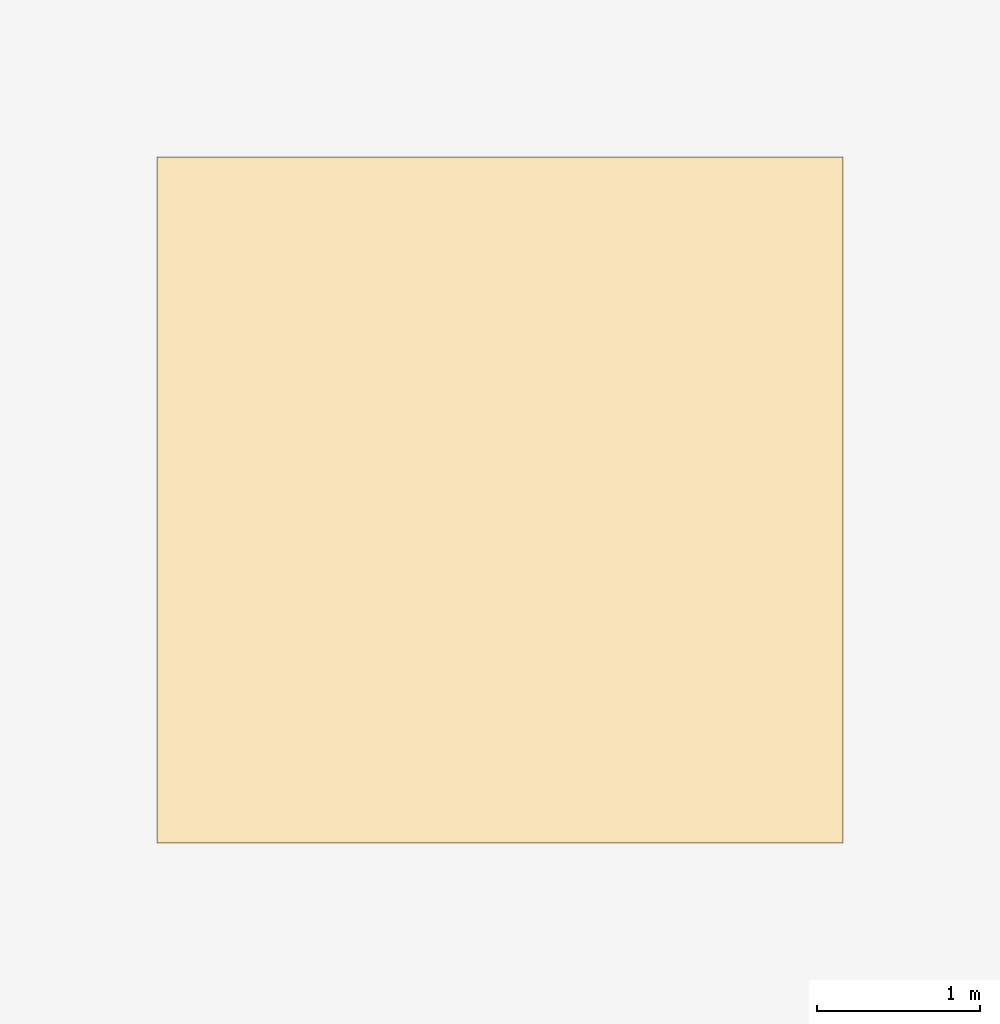
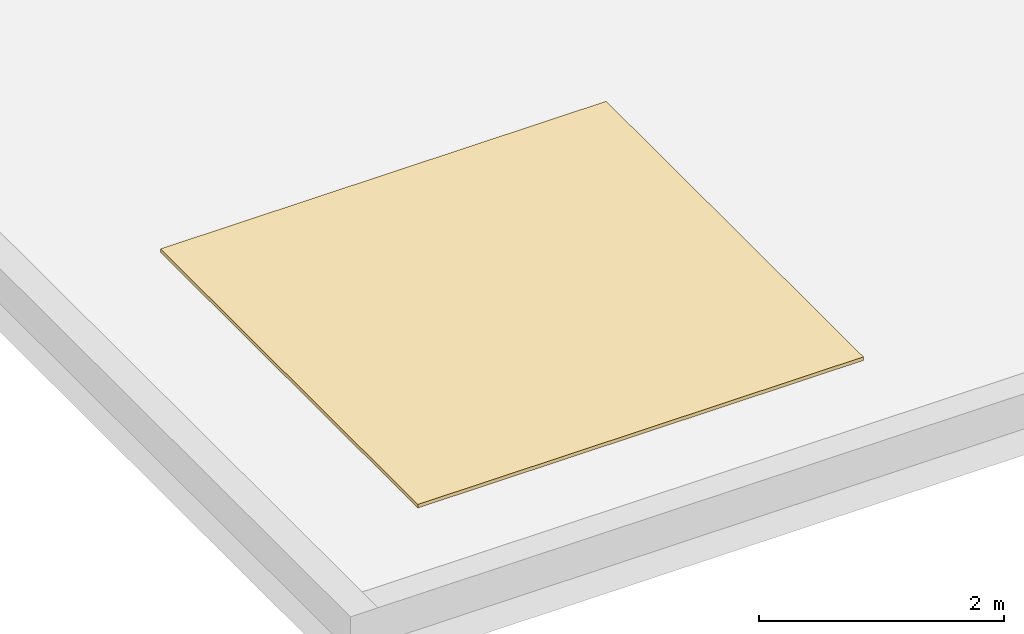
# One storey, part 2 of 2: 1 covering.
"""IFC4 building model written with IfcOpenShell, lengths in metres."""

from ifc_helpers import new_model, si_unit, direction, frame, origin, origin_2d, place, context, subcontext, project, spatial, rectangle, extrude, material, layer, layer_set, type_object, element, save


model = new_model("IFC4")

# Units and contexts
model_context = context("Model", 3, precision=1e-05, world=origin(), true_north=direction((0.0, 1.0)))
body_context = subcontext(model_context, "Body", "Model", "MODEL_VIEW")
ifc_project = project(units=[si_unit("LENGTHUNIT", "METRE"), si_unit("AREAUNIT", "SQUARE_METRE"), si_unit("VOLUMEUNIT", "CUBIC_METRE"), si_unit("PLANEANGLEUNIT", "RADIAN"), si_unit("MASSUNIT", "GRAM", prefix="KILO")], contexts=[model_context])

# Site, building, storey
site_placement = place(None, origin())
site = spatial("IfcSite", under=ifc_project, at=site_placement, CompositionType="ELEMENT")
building_placement = place(site_placement, origin())
building = spatial("IfcBuilding", under=site, at=building_placement, Name="Leyfeld Transit Interchange", CompositionType="ELEMENT")
storey_placement = place(building_placement, frame((0.0, 0.0, 25.5)))
storey = spatial("IfcBuildingStorey", under=building, at=storey_placement, Name="RF", CompositionType="ELEMENT", Elevation=25.5)

# Covering
ifc_material = material(Name="Standing-seam titanium-zinc roofing", Category="metal")
ifc_layer = layer(ifc_material, 0.034912109375, Name="Standing-seam titanium-zinc roofing")
ifc_layer_set = layer_set([ifc_layer], Name="Standing-seam titanium-zinc roofing")
covering_type = type_object("IfcCoveringType", Name="COV-ROF-ZNC", PredefinedType="ROOFING", material=ifc_layer_set)
covering_placement = place(storey_placement, frame((3.60009765625, 97.199951171875, 0.00048828125), z_axis=(0.0, 0.0, 1.0), x_axis=(1.0, 0.0, 0.0)))
element("IfcCovering", 1, at=covering_placement, inside=storey, type_object=covering_type, Name="Zinc Roof Membrane RF 06", PredefinedType="ROOFING", context=body_context, shape_type="SweptSolid", body=[
    extrude(rectangle(XDim=4.199951171875, YDim=4.199951171875, at=origin_2d()), origin(), (0.0, 0.0, 1.0), 0.034912109375),
])

save(model, "model.ifc")
